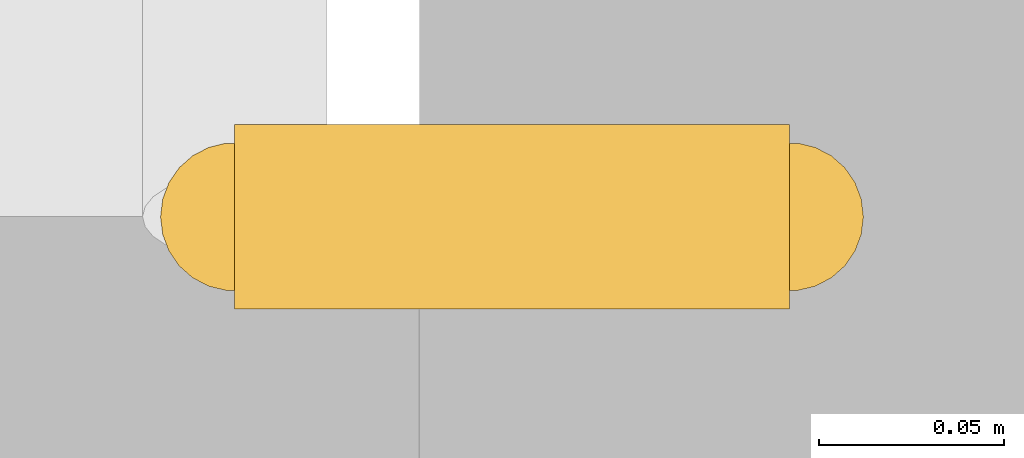
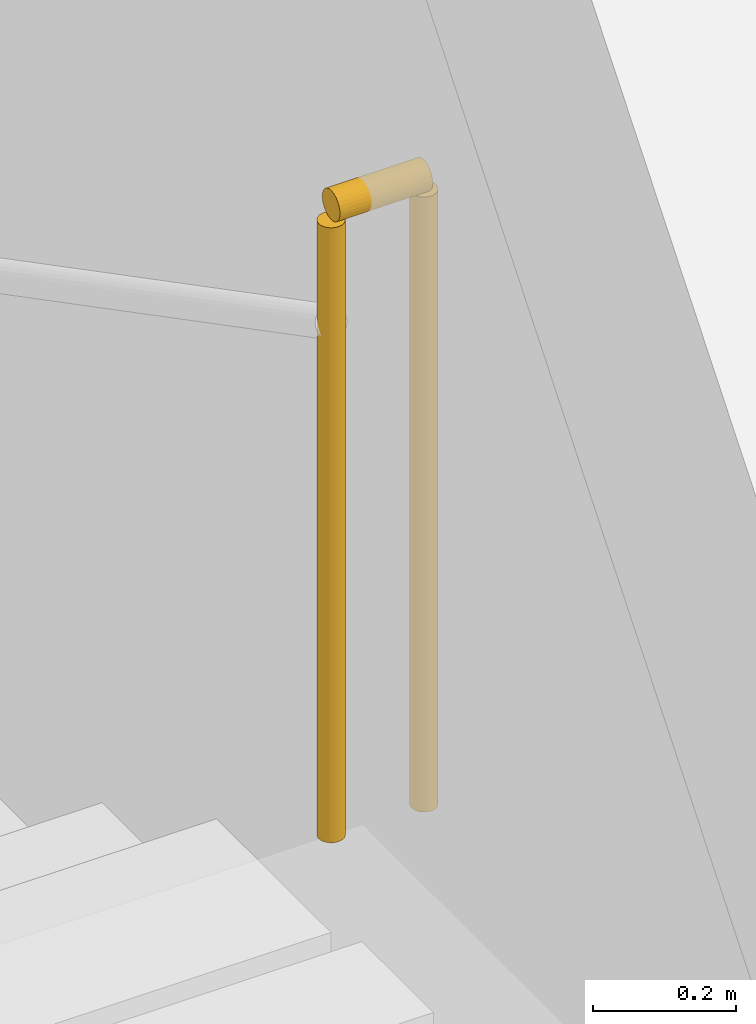
# One storey, part 29 of 31: 1 railing.
"""IFC4 building model written with IfcOpenShell, lengths in metres."""

from ifc_helpers import new_model, si_unit, direction, frame, origin, origin_2d, place, context, subcontext, project, spatial, circle, extrude, source, transform, mapped, material, type_object, element, save


model = new_model("IFC4")

# Units and contexts
model_context = context("Model", 3, precision=1e-05, world=origin(), true_north=direction((0.0, 1.0)))
body_context = subcontext(model_context, "Body", "Model", "MODEL_VIEW")
ifc_project = project(units=[si_unit("LENGTHUNIT", "METRE"), si_unit("AREAUNIT", "SQUARE_METRE"), si_unit("VOLUMEUNIT", "CUBIC_METRE"), si_unit("PLANEANGLEUNIT", "RADIAN"), si_unit("MASSUNIT", "GRAM", prefix="KILO")], contexts=[model_context])

# Site, building, storey
site_placement = place(None, origin())
site = spatial("IfcSite", under=ifc_project, at=site_placement, CompositionType="ELEMENT")
building_placement = place(site_placement, origin())
building = spatial("IfcBuilding", under=site, at=building_placement, Name="Altepetl Exchange Towers", CompositionType="ELEMENT")
storey_placement = place(building_placement, frame((0.0, 0.0, -4.0)))
storey = spatial("IfcBuildingStorey", under=building, at=storey_placement, Name="B1 Basement services", CompositionType="ELEMENT", Elevation=-4.0)

# Railing
ifc_material = material(Name="Laminated glass and steel", Category="steel")
railing_type = type_object("IfcRailingType", Name="Hall gallery guard 1100", PredefinedType="GUARDRAIL", material=ifc_material)
shared_shape = source(origin(), body_context, "Body", "SweptSolid", [
    extrude(circle(Radius=0.02001953125, at=origin_2d()), origin(), (0.0, 0.0, 1.0), 1.050048828125),
])
railing_placement = place(storey_placement, frame((100.5, 92.8798828125, 2.0)))
element("IfcRailing", 1, at=railing_placement, inside=storey, type_object=railing_type, Name="rail:P:B1:ES6land0", PredefinedType="GUARDRAIL", context=body_context, shape_type="SweptSolid", body=[
    extrude(circle(Radius=0.02490234375, at=origin_2d()), frame((0.0, 0.0, 1.0751953125), z_axis=(-1.0, 0.0, 0.0), x_axis=(0.0, -1.0, 0.0)), (0.0, 0.0, 1.0), 0.14990234375),
    mapped(shared_shape, transform((0.0, 0.0, 0.0))),
    mapped(shared_shape, transform((-0.14990234375, 0.0, 0.0))),
])

save(model, "model.ifc")
